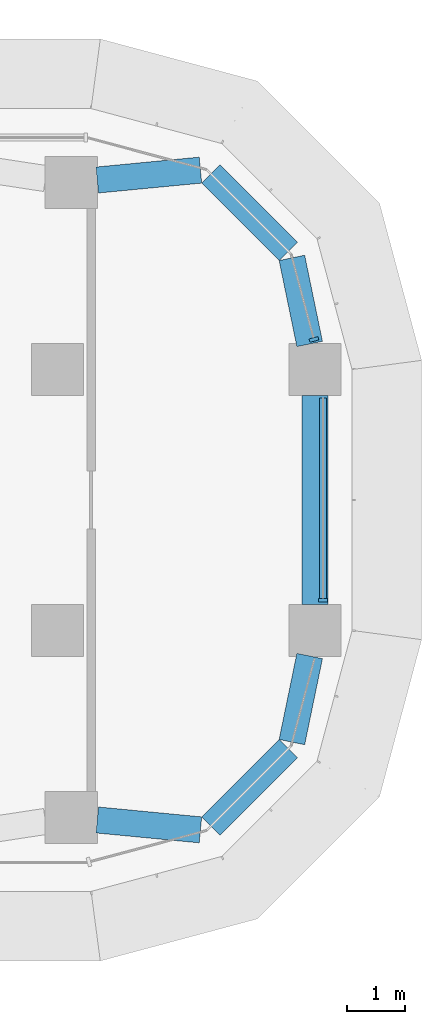
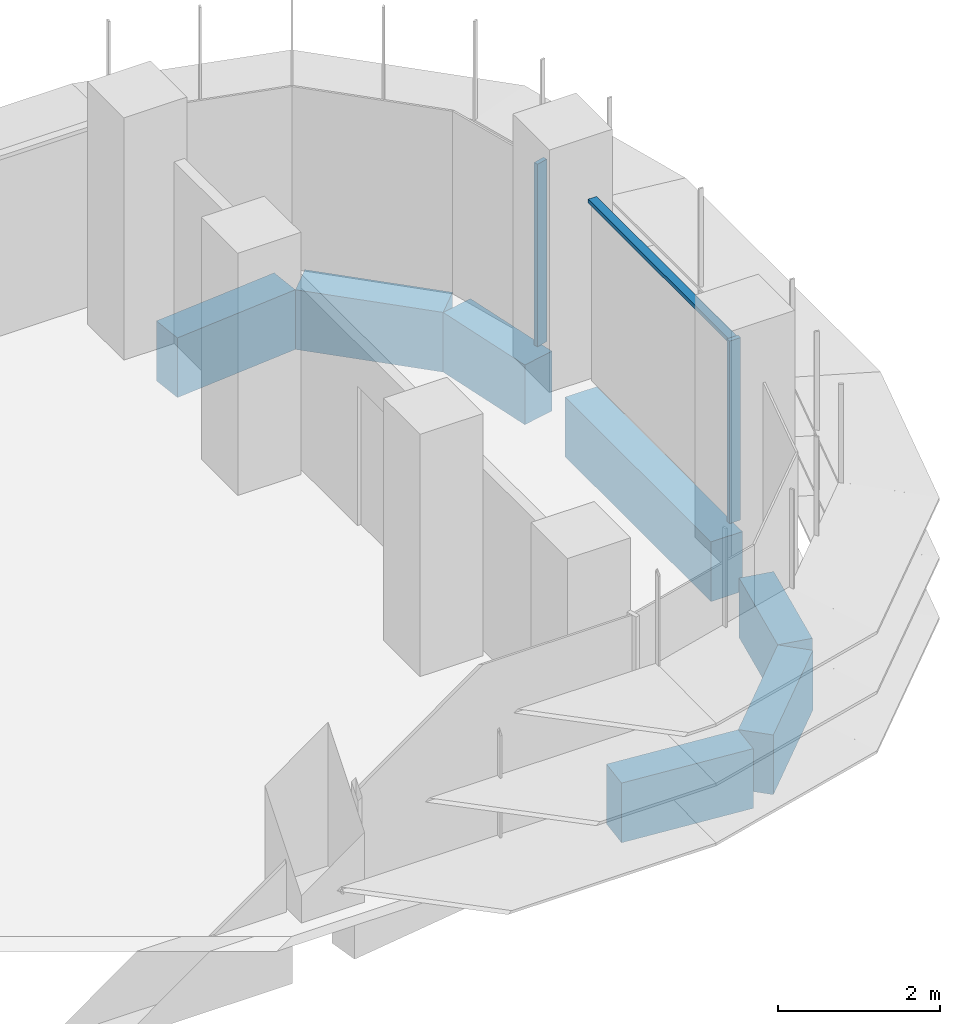
# One storey, part 10 of 21: 7 beams, 3 members, 2 elements without a shape of their own.
"""IFC4 building model written with IfcOpenShell, lengths in metres."""

from ifc_helpers import new_model, si_unit, direction, frame, origin, origin_2d, place, context, subcontext, project, spatial, polyline, rectangle, outline, extrude, source, transform, mapped, material, material_profile, profile_set, type_object, element, aggregate, save


model = new_model("IFC4")

# Units and contexts
model_context = context("Model", 3, precision=1e-05, world=origin(), true_north=direction((0.0, 1.0)))
body_context = subcontext(model_context, "Body", "Model", "MODEL_VIEW")
ifc_project = project(units=[si_unit("LENGTHUNIT", "METRE"), si_unit("AREAUNIT", "SQUARE_METRE"), si_unit("VOLUMEUNIT", "CUBIC_METRE"), si_unit("PLANEANGLEUNIT", "RADIAN"), si_unit("MASSUNIT", "GRAM", prefix="KILO")], contexts=[model_context])

# Site, building, storey
site_placement = place(None, origin())
site = spatial("IfcSite", under=ifc_project, at=site_placement, CompositionType="ELEMENT")
building_placement = place(site_placement, origin())
building = spatial("IfcBuilding", under=site, at=building_placement, Name="Zarbagh Exchange Tower", CompositionType="ELEMENT")
storey_placement = place(building_placement, frame((0.0, 0.0, 117.0)))
storey = spatial("IfcBuildingStorey", under=building, at=storey_placement, Name="L27", CompositionType="ELEMENT", Elevation=117.0)

# Beams
ifc_material_1 = material(Name="Concrete C60/75", Category="concrete")
ifc_material_profile = material_profile(ifc_material_1, rectangle(XDim=0.449951171875, YDim=0.89990234375, at=origin_2d()), Name="RC spandrel beam 450 x 900 C60/75")
ifc_profile_set = profile_set([ifc_material_profile], Name="Concrete C60/75")
beam_type = type_object("IfcBeamType", Name="RC spandrel beam 450 x 900 C60/75", PredefinedType="SPANDREL", material=ifc_profile_set)
beam_1_placement = place(storey_placement, frame((29.35595703125, 5.51806640625, -0.60009765625), z_axis=(0.995433267802, 0.095459988228, 0.0), x_axis=(-0.095459988228, 0.995433267802, 0.0)))
element("IfcBeam", 1, at=beam_1_placement, inside=storey, type_object=beam_type, Name="RC spandrel beam", PredefinedType="SPANDREL", context=body_context, shape_type="SweptSolid", body=[
    extrude(rectangle(XDim=0.449951171875, YDim=0.89990234375, at=origin_2d()), origin(), (0.0, 0.0, 1.0), 1.78759765625),
])
beam_2_placement = place(storey_placement, frame((31.316162109375, 5.623779296875, -0.60009765625), z_axis=(0.707106781187, -0.707106781187, 0.0), x_axis=(0.707106781187, 0.707106781187, 0.0)))
element("IfcBeam", 2, at=beam_2_placement, inside=storey, type_object=beam_type, Name="RC spandrel beam", PredefinedType="SPANDREL", context=body_context, shape_type="SweptSolid", body=[
    extrude(rectangle(XDim=0.449951171875, YDim=0.89990234375, at=origin_2d()), origin(), (0.0, 0.0, 1.0), 1.887939453125),
])
beam_3_placement = place(storey_placement, frame((32.71240234375, 4.17529296875, -0.60009765625), z_axis=(0.202275417995, -0.979328675816, 0.0), x_axis=(0.979328675816, 0.202275417995, 0.0)))
element("IfcBeam", 3, at=beam_3_placement, inside=storey, type_object=beam_type, Name="RC spandrel beam", PredefinedType="SPANDREL", context=body_context, shape_type="SweptSolid", body=[
    extrude(rectangle(XDim=0.449951171875, YDim=0.89990234375, at=origin_2d()), origin(), (0.0, 0.0, 1.0), 1.515869140625),
])
beam_4_placement = place(storey_placement, frame((33.110107421875, 1.800048828125, -0.60009765625), z_axis=(0.0, -1.0, 0.0), x_axis=(1.0, 0.0, 0.0)))
element("IfcBeam", 4, at=beam_4_placement, inside=storey, type_object=beam_type, Name="RC spandrel beam", PredefinedType="SPANDREL", context=body_context, shape_type="SweptSolid", body=[
    extrude(rectangle(XDim=0.449951171875, YDim=0.89990234375, at=origin_2d()), origin(), (0.0, 0.0, 1.0), 3.60009765625),
])
beam_5_placement = place(storey_placement, frame((33.01904296875, -2.690673828125, -0.60009765625), z_axis=(-0.202275417995, -0.979328675816, 0.0), x_axis=(0.979328675816, -0.202275417995, 0.0)))
element("IfcBeam", 5, at=beam_5_placement, inside=storey, type_object=beam_type, Name="RC spandrel beam", PredefinedType="SPANDREL", context=body_context, shape_type="SweptSolid", body=[
    extrude(rectangle(XDim=0.449951171875, YDim=0.89990234375, at=origin_2d()), origin(), (0.0, 0.0, 1.0), 1.515869140625),
])
beam_6_placement = place(storey_placement, frame((32.651123046875, -4.288818359375, -0.60009765625), z_axis=(-0.707106781187, -0.707106781187, 0.0), x_axis=(0.707106781187, -0.707106781187, 0.0)))
element("IfcBeam", 6, at=beam_6_placement, inside=storey, type_object=beam_type, Name="RC spandrel beam", PredefinedType="SPANDREL", context=body_context, shape_type="SweptSolid", body=[
    extrude(rectangle(XDim=0.449951171875, YDim=0.89990234375, at=origin_2d()), origin(), (0.0, 0.0, 1.0), 1.887939453125),
])
beam_7_placement = place(storey_placement, frame((31.135498046875, -5.688720703125, -0.60009765625), z_axis=(-0.995433267802, 0.095459988228, 0.0), x_axis=(-0.095459988228, -0.995433267802, 0.0)))
element("IfcBeam", 7, at=beam_7_placement, inside=storey, type_object=beam_type, Name="RC spandrel beam", PredefinedType="SPANDREL", context=body_context, shape_type="SweptSolid", body=[
    extrude(rectangle(XDim=0.449951171875, YDim=0.89990234375, at=origin_2d()), origin(), (0.0, 0.0, 1.0), 1.78759765625),
])

# Curtain wall, member
ifc_material_2 = material(Name="Anodised aluminium frame and glazing", Category="aluminium")
curtain_wall_type = type_object("IfcCurtainWallType", Name="CWA Ribbon glazing, lower zones", PredefinedType="NOTDEFINED", material=ifc_material_2)
curtain_wall_1_placement = place(storey_placement, origin())
curtain_wall_1 = element("IfcCurtainWall", 8, at=curtain_wall_1_placement, inside=storey, type_object=curtain_wall_type, Name="CWA12 curtain wall", PredefinedType="NOTDEFINED")
ifc_material_3 = material(Name="Anodised aluminium frame", Category="aluminium")
member_type_1 = type_object("IfcMemberType", Name="MUA Mullion, anodised aluminium frame", PredefinedType="MULLION", material=ifc_material_3)
shared_shape_1 = source(origin(), body_context, "Body", "SweptSolid", [
    extrude(outline(polyline([(0.0, -0.080078125), (0.06005859375, -0.080078125), (0.06005859375, 0.080078125), (0.0, 0.080078125), (0.0, -0.080078125)])), origin(), (0.0, 0.0, 1.0), 2.75),
])
placement = place(storey_placement, origin())
member_1 = element("IfcMember", 9, at=placement, type_object=member_type_1, Name="CWA12 mullion 1.1", PredefinedType="MULLION", context=body_context, shape_type="MappedRepresentation", body=[
    mapped(shared_shape_1, transform((33.25, -1.760009765625, 0.0), x_axis=(0.0, 1.0, 0.0), y_axis=(-1.0, 0.0, 0.0), z_axis=(0.0, 0.0, 1.0))),
])

curtain_wall_2_placement = place(storey_placement, origin())
curtain_wall_2 = element("IfcCurtainWall", 10, at=curtain_wall_2_placement, inside=storey, type_object=curtain_wall_type, Name="CWA13 curtain wall", PredefinedType="NOTDEFINED")
member_2 = element("IfcMember", 11, at=placement, type_object=member_type_1, Name="CWA13 mullion 1.1", PredefinedType="MULLION", context=body_context, shape_type="MappedRepresentation", body=[
    mapped(shared_shape_1, transform((33.10107421875, 2.739990234375, 0.0), x_axis=(-0.258824779902, 0.965924289636, 0.0), y_axis=(-0.965924289636, -0.258824779902, 0.0), z_axis=(0.0, 0.0, 1.0))),
])
aggregate(curtain_wall_2, [member_2])

# Member
member_type_2 = type_object("IfcMemberType", Name="TRA Transom, anodised aluminium frame", PredefinedType="USERDEFINED", material=ifc_material_3)
shared_shape_2 = source(origin(), body_context, "Body", "SweptSolid", [
    extrude(outline(polyline([(-0.06005859375, -0.06005859375), (0.0, -0.06005859375), (0.0, 0.06005859375), (-0.06005859375, 0.06005859375), (-0.06005859375, -0.06005859375)])), origin(), (0.0, 0.0, 1.0), 3.4599609375),
])
member_3 = element("IfcMember", 12, at=placement, type_object=member_type_2, Name="CWA12 transom 1.1", ObjectType="TRANSOM", PredefinedType="USERDEFINED", context=body_context, shape_type="MappedRepresentation", body=[
    mapped(shared_shape_2, transform((33.25, -1.699951171875, 2.75), x_axis=(0.0, 0.0, 1.0), y_axis=(1.0, 0.0, 0.0), z_axis=(0.0, 1.0, 0.0))),
])

aggregate(curtain_wall_1, [member_1, member_3])

save(model, "model.ifc")
